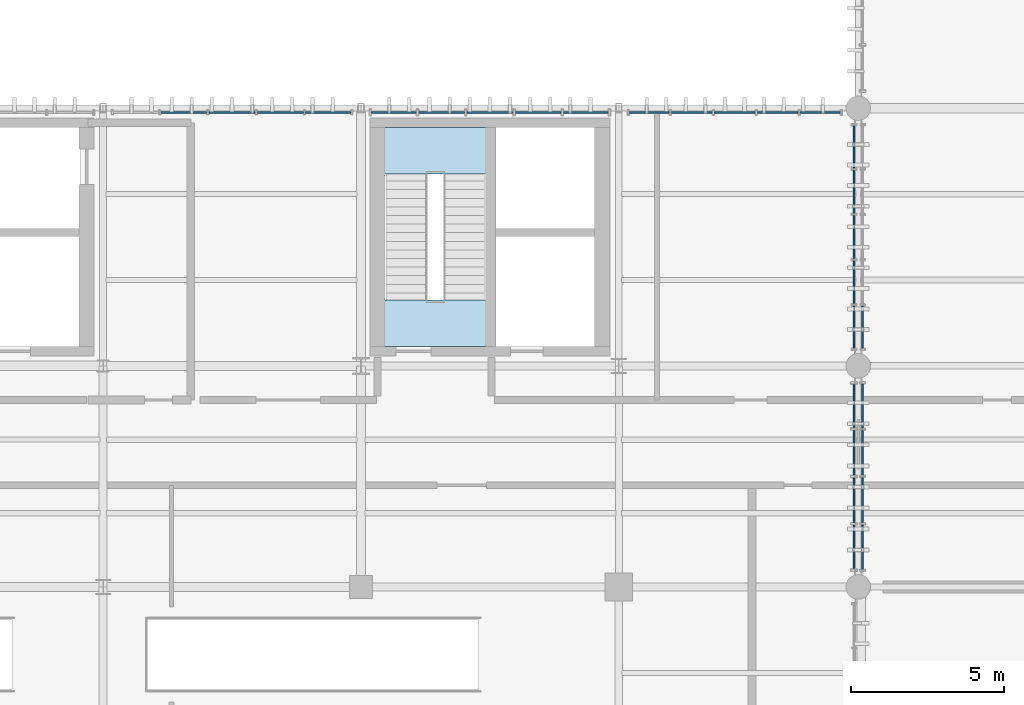
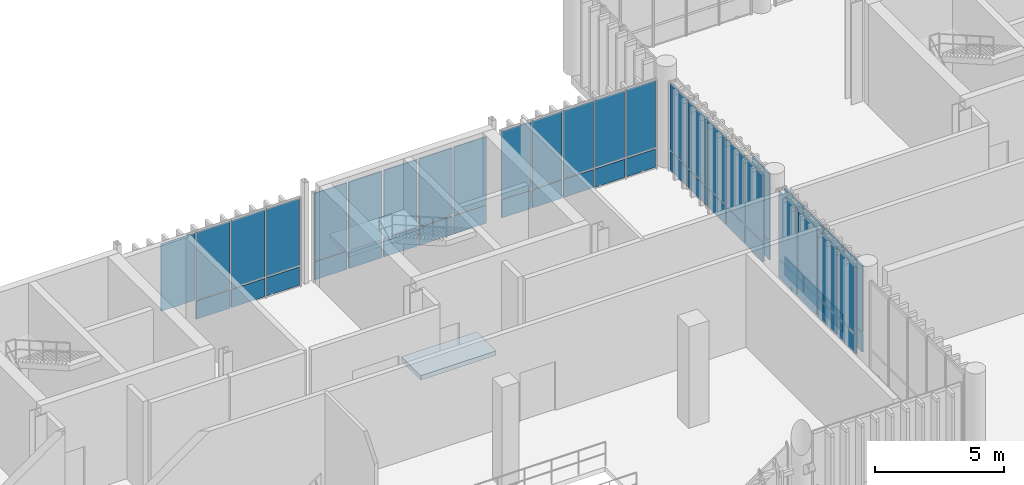
# One storey, part 81 of 109: 55 plates, 2 slabs, 8 elements without a shape of their own.
"""IFC4 building model written with IfcOpenShell, lengths in metres."""

import ifcopenshell
import ifcopenshell.guid

model = None  # the IFC model being written
_history = None  # IfcOwnerHistory: only IFC2X3 demands one
_inside = {}  # id of a spatial element -> (the spatial element, [elements in it])
_under = {}  # id of a project, library or spatial element -> (it, [spatial elements below it])
_declared = {}  # id of a project -> (the project, [libraries it declares])
_typed = {}  # id of a type object -> (the type object, [elements of that type])
_made_of = {}  # id of a material, layer set ... -> (it, [elements and type objects made of it])


def new_model(schema):
    """Start an empty IFC model of exactly this schema.

    Asked for "IFC4X3", IfcOpenShell would pick the latest addendum, in which some entities
    have other attributes; the version numbers below select the first issue.
    IFC2X3 requires an IfcOwnerHistory on every rooted entity: one is made here for all.
    """
    global model, _history
    if schema == "IFC4X3":
        model = ifcopenshell.file(schema_version=(4, 3, 0, 0))
    else:
        model = ifcopenshell.file(schema=schema)
    _inside.clear()
    _under.clear()
    _declared.clear()
    _typed.clear()
    _made_of.clear()
    _history = None
    if model.schema == "IFC2X3":
        org = make("IfcOrganization", Name="unknown")
        user = make(
            "IfcPersonAndOrganization",
            ThePerson=make("IfcPerson", FamilyName="unknown"),
            TheOrganization=org,
        )
        app = make(
            "IfcApplication",
            ApplicationDeveloper=org,
            Version="unknown",
            ApplicationFullName="unknown",
            ApplicationIdentifier="unknown",
        )
        _history = make(
            "IfcOwnerHistory",
            OwningUser=user,
            OwningApplication=app,
            ChangeAction="ADDED",
            CreationDate=0,
        )
    return model


def make(cls, **values):
    """One entity of the class cls with the attributes given. An attribute that is None is left unset."""
    return model.create_entity(
        cls, **{name: value for name, value in values.items() if value is not None}
    )


def rooted(cls, **values):
    """An entity with a GlobalId (a new one), such as an element, a storey or a relation."""
    return make(cls, GlobalId=ifcopenshell.guid.new(), OwnerHistory=_history, **values)


def si_unit(unit_type, name, prefix=None):
    """IfcSIUnit, for example si_unit("LENGTHUNIT", "METRE", prefix="MILLI")."""
    return make("IfcSIUnit", UnitType=unit_type, Prefix=prefix, Name=name)


def assignment(units):
    """IfcUnitAssignment: the units of a project."""
    return None if units is None else make("IfcUnitAssignment", Units=units)


def point(xyz):
    """IfcCartesianPoint."""
    return None if xyz is None else make("IfcCartesianPoint", Coordinates=xyz)


def direction(xyz):
    """IfcDirection."""
    return None if xyz is None else make("IfcDirection", DirectionRatios=xyz)


def frame(location, z_axis=None, x_axis=None):
    """IfcAxis2Placement3D, a coordinate frame: its origin and axes. An axis left out is left unset."""
    return make(
        "IfcAxis2Placement3D",
        Location=point(location),
        Axis=direction(z_axis),
        RefDirection=direction(x_axis),
    )


def frame_2d(location, x_axis=None):
    """IfcAxis2Placement2D, a coordinate frame in the plane: its origin and x axis."""
    return make(
        "IfcAxis2Placement2D", Location=point(location), RefDirection=direction(x_axis)
    )


def origin_with_axes():
    """The frame at (0, 0, 0) with the z axis (0, 0, 1) and the x axis (1, 0, 0) written out."""
    return frame((0.0, 0.0, 0.0), z_axis=(0.0, 0.0, 1.0), x_axis=(1.0, 0.0, 0.0))


def place(relative_to, where):
    """IfcLocalPlacement: puts the frame where relative to a parent placement (None: the world)."""
    return make(
        "IfcLocalPlacement", PlacementRelTo=relative_to, RelativePlacement=where
    )


def context(
    kind, dimensions, precision=None, world=None, true_north=None, identifier=None
):
    """IfcGeometricRepresentationContext, for example the 3D "Model" context."""
    return make(
        "IfcGeometricRepresentationContext",
        ContextIdentifier=identifier,
        ContextType=kind,
        CoordinateSpaceDimension=dimensions,
        Precision=precision,
        WorldCoordinateSystem=world,
        TrueNorth=true_north,
    )


def subcontext(parent, identifier, kind, view, scale=None):
    """IfcGeometricRepresentationSubContext, for example "Body" below "Model"."""
    return make(
        "IfcGeometricRepresentationSubContext",
        ContextIdentifier=identifier,
        ContextType=kind,
        ParentContext=parent,
        TargetScale=scale,
        TargetView=view,
    )


def project(units=None, contexts=None):
    """IfcProject with its units and contexts."""
    return rooted(
        "IfcProject",
        Name="project",
        RepresentationContexts=contexts,
        UnitsInContext=assignment(units),
    )


def spatial(cls, under=None, at=None, **own):
    """A site, building, storey or space (cls), placed at a placement, below another one or the project."""
    s = rooted(cls, ObjectPlacement=at, **own)
    if under is not None:
        _under.setdefault(under.id(), (under, []))[1].append(s)
    return s


def polyline(points):
    """IfcPolyline through the points."""
    return make("IfcPolyline", Points=[point(p) for p in points])


def profile(cls, at=None, kind="AREA", **sizes):
    """A parametric profile (cls). Its sizes go by their IFC names, for example OverallWidth=200.0."""
    return make(cls, ProfileType=kind, Position=at, **sizes)


def rectangle(**sizes):
    """IfcRectangleProfileDef."""
    return profile("IfcRectangleProfileDef", **sizes)


def outline(outer, holes=None, kind="AREA"):
    """IfcArbitraryClosedProfileDef: a profile drawn as a closed curve; with holes, ...WithVoids."""
    if holes is None:
        return make("IfcArbitraryClosedProfileDef", ProfileType=kind, OuterCurve=outer)
    return make(
        "IfcArbitraryProfileDefWithVoids",
        ProfileType=kind,
        OuterCurve=outer,
        InnerCurves=holes,
    )


def extrude(swept, where, along, depth):
    """IfcExtrudedAreaSolid: the profile swept, set in the frame where, extruded along a direction by depth."""
    return make(
        "IfcExtrudedAreaSolid",
        SweptArea=swept,
        Position=where,
        ExtrudedDirection=direction(along),
        Depth=depth,
    )


def shape(context_of_items, identifier, shape_type, items):
    """IfcShapeRepresentation: the items that make up one representation, for example the "Body"."""
    return make(
        "IfcShapeRepresentation",
        ContextOfItems=context_of_items,
        RepresentationIdentifier=identifier,
        RepresentationType=shape_type,
        Items=items,
    )


def material(Name=None, Category=None):
    """IfcMaterial."""
    return make("IfcMaterial", Name=Name, Category=Category)


def layer(
    of_material, thickness, ventilated=None, Name=None, Category=None, Priority=None
):
    """IfcMaterialLayer: one layer of a wall or slab, of a material (None: an air gap)."""
    return make(
        "IfcMaterialLayer",
        Material=of_material,
        LayerThickness=thickness,
        IsVentilated=ventilated,
        Name=Name,
        Category=Category,
        Priority=Priority,
    )


def layer_set(layers, Name=None):
    """IfcMaterialLayerSet."""
    return make("IfcMaterialLayerSet", MaterialLayers=layers, LayerSetName=Name)


def made_of(thing, what):
    """Note that an element or type object is made of a material, layer set ...; save() writes the relation."""
    if what is not None:
        _made_of.setdefault(what.id(), (what, []))[1].append(thing)
    return thing


def type_object(cls, material=None, **own):
    """A type object (cls), such as IfcWallType, which elements share."""
    return made_of(rooted(cls, **own), material)


def element(
    cls,
    number,
    at=None,
    inside=None,
    cuts=None,
    type_object=None,
    material=None,
    context=None,
    identifier="Body",
    shape_type=None,
    held_by="IfcProductDefinitionShape",
    body=None,
    shapes=None,
    **own,
):
    """One element of the class cls, such as IfcWall. Its Tag is "e" and its number.

    at: its placement. inside: the storey or other place that contains it. cuts: it is an
    opening in that element (IfcRelVoidsElement). A single representation is given by context,
    identifier, shape_type and body (its items); several are given by shapes. held_by: the class
    of the entity that holds the representations. save() writes the other relations.
    """
    e = rooted(cls, Tag="e%d" % number, ObjectPlacement=at, **own)
    if body is not None:
        shapes = [shape(context, identifier, shape_type, body)]
    if shapes is not None:
        e.Representation = make(held_by, Representations=shapes)
    if inside is not None:
        _inside.setdefault(inside.id(), (inside, []))[1].append(e)
    if cuts is not None:
        rooted(
            "IfcRelVoidsElement", RelatingBuildingElement=cuts, RelatedOpeningElement=e
        )
    if type_object is not None:
        _typed.setdefault(type_object.id(), (type_object, []))[1].append(e)
    return made_of(e, material)


def aggregate(whole, parts):
    """IfcRelAggregates: a whole, such as a stair, and the parts it consists of."""
    return rooted("IfcRelAggregates", RelatingObject=whole, RelatedObjects=parts)


def save(model, path):
    """Write the relations noted so far, then the file.

    IfcRelAggregates (storeys below a building ...), IfcRelContainedInSpatialStructure (elements
    in a storey), IfcRelDefinesByType, IfcRelAssociatesMaterial and IfcRelDeclares: one each for
    every whole, place, type object, material and project.
    """
    for whole, parts in _under.values():
        aggregate(whole, parts)
    for where, things in _inside.values():
        rooted(
            "IfcRelContainedInSpatialStructure",
            RelatedElements=things,
            RelatingStructure=where,
        )
    for kind, things in _typed.values():
        rooted("IfcRelDefinesByType", RelatedObjects=things, RelatingType=kind)
    for what, things in _made_of.values():
        rooted("IfcRelAssociatesMaterial", RelatedObjects=things, RelatingMaterial=what)
    for by, libraries in _declared.values():
        rooted("IfcRelDeclares", RelatingContext=by, RelatedDefinitions=libraries)
    model.write(path)


model = new_model("IFC4")

# Units and contexts
model_context = context("Model", 3, precision=1e-05, world=origin_with_axes(), true_north=direction((0.0, 1.0)))
body_context = subcontext(model_context, "Body", "Model", "MODEL_VIEW")
ifc_project = project(units=[si_unit("LENGTHUNIT", "METRE"), si_unit("AREAUNIT", "SQUARE_METRE"), si_unit("VOLUMEUNIT", "CUBIC_METRE"), si_unit("PLANEANGLEUNIT", "RADIAN"), si_unit("MASSUNIT", "GRAM", prefix="KILO"), si_unit("THERMODYNAMICTEMPERATUREUNIT", "KELVIN")], contexts=[model_context])

# Site, building, storey
site_placement = place(None, origin_with_axes())
site = spatial("IfcSite", under=ifc_project, at=site_placement, CompositionType="ELEMENT")
building_placement = place(site_placement, origin_with_axes())
building = spatial("IfcBuilding", under=site, at=building_placement, Name="Montbau Bow Law Courts", CompositionType="ELEMENT")
storey_placement = place(building_placement, frame((0.0, 0.0, 10.8), z_axis=(0.0, 0.0, 1.0), x_axis=(1.0, 0.0, 0.0)))
storey = spatial("IfcBuildingStorey", under=building, at=storey_placement, Name="L02", CompositionType="ELEMENT", Elevation=10.8)

# Curtain wall, plates
ifc_material_1 = material(Name="Thermally Broken Extruded Aluminium AA 6063-T6", Category="aluminium")
curtain_wall_type_1 = type_object("IfcCurtainWallType", Name="CW-TRC-01", PredefinedType="NOTDEFINED", material=ifc_material_1)
curtain_wall_1_placement = place(None, frame((22.467, 54.46, 10.8), z_axis=(0.0, 0.0, 1.0), x_axis=(1.0, 0.0, 0.0)))
curtain_wall_1 = element("IfcCurtainWall", 1, at=curtain_wall_1_placement, inside=storey, type_object=curtain_wall_type_1, Name="CW-L02-041:cw_0041", PredefinedType="NOTDEFINED")
ifc_material_2 = material(Name="Triple-Glazed Low-E Argon Insulating Glass Unit", Category="glass")
ifc_layer_1 = layer(ifc_material_2, 0.044, Name="Curtain Panel", Category="glass")
ifc_layer_set_1 = layer_set([ifc_layer_1], Name="Triple-Glazed Low-E Argon Insulating Glass Unit")
plate_type_1 = type_object("IfcPlateType", Name="PL-CWP-01", PredefinedType="CURTAIN_PANEL", material=ifc_layer_set_1)
plate_1_placement = place(None, frame((24.072, 54.46, 11.78), z_axis=(0.0, -1.0, 0.0), x_axis=(1.0, 0.0, 0.0)))
plate_1 = element("IfcPlate", 2, at=plate_1_placement, type_object=plate_type_1, Name="CW-L02-041-P02-2:cw_0041_P02_2", PredefinedType="CURTAIN_PANEL", context=body_context, shape_type="SweptSolid", body=[
    extrude(rectangle(XDim=1.509, YDim=3.183, at=frame_2d((0.7545, 1.5915), x_axis=(1.0, 0.0))), frame((0.0, 0.0, -0.022), z_axis=(0.0, 0.0, 1.0), x_axis=(1.0, 0.0, 0.0)), (0.0, 0.0, 1.0), 0.044),
])
plate_2_placement = place(None, frame((25.645, 54.46, 11.78), z_axis=(0.0, -1.0, 0.0), x_axis=(1.0, 0.0, 0.0)))
plate_2 = element("IfcPlate", 3, at=plate_2_placement, type_object=plate_type_1, Name="CW-L02-041-P03-2:cw_0041_P03_2", PredefinedType="CURTAIN_PANEL", context=body_context, shape_type="SweptSolid", body=[
    extrude(rectangle(XDim=1.51, YDim=3.183, at=frame_2d((0.755, 1.5915), x_axis=(1.0, 0.0))), frame((0.0, 0.0, -0.022), z_axis=(0.0, 0.0, 1.0), x_axis=(1.0, 0.0, 0.0)), (0.0, 0.0, 1.0), 0.044),
])
plate_3_placement = place(None, frame((27.219, 54.46, 11.78), z_axis=(0.0, -1.0, 0.0), x_axis=(1.0, 0.0, 0.0)))
plate_3 = element("IfcPlate", 4, at=plate_3_placement, type_object=plate_type_1, Name="CW-L02-041-P04-2:cw_0041_P04_2", PredefinedType="CURTAIN_PANEL", context=body_context, shape_type="SweptSolid", body=[
    extrude(rectangle(XDim=1.509, YDim=3.183, at=frame_2d((0.7545, 1.5915), x_axis=(1.0, 0.0))), frame((0.0, 0.0, -0.022), z_axis=(0.0, 0.0, 1.0), x_axis=(1.0, 0.0, 0.0)), (0.0, 0.0, 1.0), 0.044),
])
plate_4_placement = place(None, frame((28.792, 54.46, 11.78), z_axis=(0.0, -1.0, 0.0), x_axis=(1.0, 0.0, 0.0)))
plate_4 = element("IfcPlate", 5, at=plate_4_placement, type_object=plate_type_1, Name="CW-L02-041-P05-2:cw_0041_P05_2", PredefinedType="CURTAIN_PANEL", context=body_context, shape_type="SweptSolid", body=[
    extrude(rectangle(XDim=1.479, YDim=3.183, at=frame_2d((0.7395, 1.5915), x_axis=(1.0, 0.0))), frame((0.0, 0.0, -0.022), z_axis=(0.0, 0.0, 1.0), x_axis=(1.0, 0.0, 0.0)), (0.0, 0.0, 1.0), 0.044),
])

curtain_wall_2_placement = place(None, frame((30.867, 54.46, 10.8), z_axis=(0.0, 0.0, 1.0), x_axis=(1.0, 0.0, 0.0)))
curtain_wall_2 = element("IfcCurtainWall", 6, at=curtain_wall_2_placement, inside=storey, type_object=curtain_wall_type_1, Name="CW-L02-042:cw_0042", PredefinedType="NOTDEFINED")
plate_5_placement = place(None, frame((30.943, 54.46, 11.782), z_axis=(0.0, -1.0, 0.0), x_axis=(1.0, 0.0, 0.0)))
plate_5 = element("IfcPlate", 7, at=plate_5_placement, type_object=plate_type_1, Name="CW-L02-042-P01-2:cw_0042_P01_2", PredefinedType="CURTAIN_PANEL", context=body_context, shape_type="SweptSolid", body=[
    extrude(rectangle(XDim=1.457, YDim=3.176, at=frame_2d((0.7285, 1.588), x_axis=(1.0, 0.0))), frame((0.0, 0.0, -0.022), z_axis=(0.0, 0.0, 1.0), x_axis=(1.0, 0.0, 0.0)), (0.0, 0.0, 1.0), 0.044),
])
plate_6_placement = place(None, frame((32.48, 54.46, 11.782), z_axis=(0.0, -1.0, 0.0), x_axis=(1.0, 0.0, 0.0)))
plate_6 = element("IfcPlate", 8, at=plate_6_placement, type_object=plate_type_1, Name="CW-L02-042-P02-2:cw_0042_P02_2", PredefinedType="CURTAIN_PANEL", context=body_context, shape_type="SweptSolid", body=[
    extrude(rectangle(XDim=1.494, YDim=3.176, at=frame_2d((0.747, 1.588), x_axis=(1.0, 0.0))), frame((0.0, 0.0, -0.022), z_axis=(0.0, 0.0, 1.0), x_axis=(1.0, 0.0, 0.0)), (0.0, 0.0, 1.0), 0.044),
])
plate_7_placement = place(None, frame((34.052, 54.46, 11.782), z_axis=(0.0, -1.0, 0.0), x_axis=(1.0, 0.0, 0.0)))
plate_7 = element("IfcPlate", 9, at=plate_7_placement, type_object=plate_type_1, Name="CW-L02-042-P03-2:cw_0042_P03_2", PredefinedType="CURTAIN_PANEL", context=body_context, shape_type="SweptSolid", body=[
    extrude(rectangle(XDim=1.495, YDim=3.176, at=frame_2d((0.7475, 1.588), x_axis=(1.0, 0.0))), frame((0.0, 0.0, -0.022), z_axis=(0.0, 0.0, 1.0), x_axis=(1.0, 0.0, 0.0)), (0.0, 0.0, 1.0), 0.044),
])
plate_8_placement = place(None, frame((35.625, 54.46, 11.782), z_axis=(0.0, -1.0, 0.0), x_axis=(1.0, 0.0, 0.0)))
plate_8 = element("IfcPlate", 10, at=plate_8_placement, type_object=plate_type_1, Name="CW-L02-042-P04-2:cw_0042_P04_2", PredefinedType="CURTAIN_PANEL", context=body_context, shape_type="SweptSolid", body=[
    extrude(rectangle(XDim=1.495, YDim=3.176, at=frame_2d((0.7475, 1.588), x_axis=(1.0, 0.0))), frame((0.0, 0.0, -0.022), z_axis=(0.0, 0.0, 1.0), x_axis=(1.0, 0.0, 0.0)), (0.0, 0.0, 1.0), 0.044),
])
plate_9_placement = place(None, frame((37.198, 54.46, 11.782), z_axis=(0.0, -1.0, 0.0), x_axis=(1.0, 0.0, 0.0)))
plate_9 = element("IfcPlate", 11, at=plate_9_placement, type_object=plate_type_1, Name="CW-L02-042-P05-2:cw_0042_P05_2", PredefinedType="CURTAIN_PANEL", context=body_context, shape_type="SweptSolid", body=[
    extrude(rectangle(XDim=1.457, YDim=3.176, at=frame_2d((0.7285, 1.588), x_axis=(1.0, 0.0))), frame((0.0, 0.0, -0.022), z_axis=(0.0, 0.0, 1.0), x_axis=(1.0, 0.0, 0.0)), (0.0, 0.0, 1.0), 0.044),
])

curtain_wall_3_placement = place(None, frame((39.268, 54.46, 10.8), z_axis=(0.0, 0.0, 1.0), x_axis=(1.0, 0.0, 0.0)))
curtain_wall_3 = element("IfcCurtainWall", 12, at=curtain_wall_3_placement, inside=storey, type_object=curtain_wall_type_1, Name="CW-L02-043:cw_0043", PredefinedType="NOTDEFINED")
plate_10_placement = place(None, frame((39.336, 54.46, 11.78), z_axis=(0.0, -1.0, 0.0), x_axis=(1.0, 0.0, 0.0)))
plate_10 = element("IfcPlate", 13, at=plate_10_placement, type_object=plate_type_1, Name="CW-L02-043-P01-2:cw_0043_P01_2", PredefinedType="CURTAIN_PANEL", context=body_context, shape_type="SweptSolid", body=[
    extrude(rectangle(XDim=1.301, YDim=3.183, at=frame_2d((0.6505, 1.5915), x_axis=(1.0, 0.0))), frame((0.0, 0.0, -0.022), z_axis=(0.0, 0.0, 1.0), x_axis=(1.0, 0.0, 0.0)), (0.0, 0.0, 1.0), 0.044),
])
plate_11_placement = place(None, frame((40.706, 54.46, 11.78), z_axis=(0.0, -1.0, 0.0), x_axis=(1.0, 0.0, 0.0)))
plate_11 = element("IfcPlate", 14, at=plate_11_placement, type_object=plate_type_1, Name="CW-L02-043-P02-2:cw_0043_P02_2", PredefinedType="CURTAIN_PANEL", context=body_context, shape_type="SweptSolid", body=[
    extrude(rectangle(XDim=1.334, YDim=3.183, at=frame_2d((0.667, 1.5915), x_axis=(1.0, 0.0))), frame((0.0, 0.0, -0.022), z_axis=(0.0, 0.0, 1.0), x_axis=(1.0, 0.0, 0.0)), (0.0, 0.0, 1.0), 0.044),
])
plate_12_placement = place(None, frame((42.109, 54.46, 11.78), z_axis=(0.0, -1.0, 0.0), x_axis=(1.0, 0.0, 0.0)))
plate_12 = element("IfcPlate", 15, at=plate_12_placement, type_object=plate_type_1, Name="CW-L02-043-P03-2:cw_0043_P03_2", PredefinedType="CURTAIN_PANEL", context=body_context, shape_type="SweptSolid", body=[
    extrude(rectangle(XDim=1.335, YDim=3.183, at=frame_2d((0.6675, 1.5915), x_axis=(1.0, 0.0))), frame((0.0, 0.0, -0.022), z_axis=(0.0, 0.0, 1.0), x_axis=(1.0, 0.0, 0.0)), (0.0, 0.0, 1.0), 0.044),
])
plate_13_placement = place(None, frame((43.512, 54.46, 11.78), z_axis=(0.0, -1.0, 0.0), x_axis=(1.0, 0.0, 0.0)))
plate_13 = element("IfcPlate", 16, at=plate_13_placement, type_object=plate_type_1, Name="CW-L02-043-P04-2:cw_0043_P04_2", PredefinedType="CURTAIN_PANEL", context=body_context, shape_type="SweptSolid", body=[
    extrude(rectangle(XDim=1.336, YDim=3.183, at=frame_2d((0.668, 1.5915), x_axis=(1.0, 0.0))), frame((0.0, 0.0, -0.022), z_axis=(0.0, 0.0, 1.0), x_axis=(1.0, 0.0, 0.0)), (0.0, 0.0, 1.0), 0.044),
])
plate_14_placement = place(None, frame((44.916, 54.46, 11.78), z_axis=(0.0, -1.0, 0.0), x_axis=(1.0, 0.0, 0.0)))
plate_14 = element("IfcPlate", 17, at=plate_14_placement, type_object=plate_type_1, Name="CW-L02-043-P05-2:cw_0043_P05_2", PredefinedType="CURTAIN_PANEL", context=body_context, shape_type="SweptSolid", body=[
    extrude(rectangle(XDim=1.302, YDim=3.183, at=frame_2d((0.651, 1.5915), x_axis=(1.0, 0.0))), frame((0.0, 0.0, -0.022), z_axis=(0.0, 0.0, 1.0), x_axis=(1.0, 0.0, 0.0)), (0.0, 0.0, 1.0), 0.044),
])

curtain_wall_4_placement = place(None, frame((46.66, 39.515, 10.8), z_axis=(0.0, 0.0, 1.0), x_axis=(1.0, 0.0, 0.0)))
curtain_wall_4 = element("IfcCurtainWall", 18, at=curtain_wall_4_placement, inside=storey, type_object=curtain_wall_type_1, Name="CW-L02-048:cw_0048", PredefinedType="NOTDEFINED")
plate_15_placement = place(None, frame((46.66, 39.591, 11.782), z_axis=(1.0, 0.0, 0.0), x_axis=(0.0, 1.0, 0.0)))
plate_15 = element("IfcPlate", 19, at=plate_15_placement, type_object=plate_type_1, Name="CW-L02-048-P01-2:cw_0048_P01_2", PredefinedType="CURTAIN_PANEL", context=body_context, shape_type="SweptSolid", body=[
    extrude(rectangle(XDim=1.427, YDim=3.176, at=frame_2d((0.7135, 1.588), x_axis=(1.0, 0.0))), frame((0.0, 0.0, -0.022), z_axis=(0.0, 0.0, 1.0), x_axis=(1.0, 0.0, 0.0)), (0.0, 0.0, 1.0), 0.044),
])
plate_16_placement = place(None, frame((46.66, 41.098, 11.782), z_axis=(1.0, 0.0, 0.0), x_axis=(0.0, 1.0, 0.0)))
plate_16 = element("IfcPlate", 20, at=plate_16_placement, type_object=plate_type_1, Name="CW-L02-048-P02-2:cw_0048_P02_2", PredefinedType="CURTAIN_PANEL", context=body_context, shape_type="SweptSolid", body=[
    extrude(rectangle(XDim=1.463, YDim=3.176, at=frame_2d((0.7315, 1.588), x_axis=(1.0, 0.0))), frame((0.0, 0.0, -0.022), z_axis=(0.0, 0.0, 1.0), x_axis=(1.0, 0.0, 0.0)), (0.0, 0.0, 1.0), 0.044),
])
plate_17_placement = place(None, frame((46.66, 42.639, 11.782), z_axis=(1.0, 0.0, 0.0), x_axis=(0.0, 1.0, 0.0)))
plate_17 = element("IfcPlate", 21, at=plate_17_placement, type_object=plate_type_1, Name="CW-L02-048-P03-2:cw_0048_P03_2", PredefinedType="CURTAIN_PANEL", context=body_context, shape_type="SweptSolid", body=[
    extrude(rectangle(XDim=1.465, YDim=3.176, at=frame_2d((0.7325, 1.588), x_axis=(1.0, 0.0))), frame((0.0, 0.0, -0.022), z_axis=(0.0, 0.0, 1.0), x_axis=(1.0, 0.0, 0.0)), (0.0, 0.0, 1.0), 0.044),
])
plate_18_placement = place(None, frame((46.66, 44.182, 11.782), z_axis=(1.0, 0.0, 0.0), x_axis=(0.0, 1.0, 0.0)))
plate_18 = element("IfcPlate", 22, at=plate_18_placement, type_object=plate_type_1, Name="CW-L02-048-P04-2:cw_0048_P04_2", PredefinedType="CURTAIN_PANEL", context=body_context, shape_type="SweptSolid", body=[
    extrude(rectangle(XDim=1.427, YDim=3.176, at=frame_2d((0.7135, 1.588), x_axis=(1.0, 0.0))), frame((0.0, 0.0, -0.022), z_axis=(0.0, 0.0, 1.0), x_axis=(1.0, 0.0, 0.0)), (0.0, 0.0, 1.0), 0.044),
])

curtain_wall_5_placement = place(None, frame((46.66, 46.715, 10.8), z_axis=(0.0, 0.0, 1.0), x_axis=(1.0, 0.0, 0.0)))
curtain_wall_5 = element("IfcCurtainWall", 23, at=curtain_wall_5_placement, inside=storey, type_object=curtain_wall_type_1, Name="CW-L02-049:cw_0049", PredefinedType="NOTDEFINED")
plate_19_placement = place(None, frame((46.66, 46.783, 11.78), z_axis=(1.0, 0.0, 0.0), x_axis=(0.0, 1.0, 0.0)))
plate_19 = element("IfcPlate", 24, at=plate_19_placement, type_object=plate_type_1, Name="CW-L02-049-P01-2:cw_0049_P01_2", PredefinedType="CURTAIN_PANEL", context=body_context, shape_type="SweptSolid", body=[
    extrude(rectangle(XDim=1.372, YDim=3.183, at=frame_2d((0.686, 1.5915), x_axis=(1.0, 0.0))), frame((0.0, 0.0, -0.022), z_axis=(0.0, 0.0, 1.0), x_axis=(1.0, 0.0, 0.0)), (0.0, 0.0, 1.0), 0.044),
])
plate_20_placement = place(None, frame((46.66, 48.223, 11.78), z_axis=(1.0, 0.0, 0.0), x_axis=(0.0, 1.0, 0.0)))
plate_20 = element("IfcPlate", 25, at=plate_20_placement, type_object=plate_type_1, Name="CW-L02-049-P02-2:cw_0049_P02_2", PredefinedType="CURTAIN_PANEL", context=body_context, shape_type="SweptSolid", body=[
    extrude(rectangle(XDim=1.405, YDim=3.183, at=frame_2d((0.7025, 1.5915), x_axis=(1.0, 0.0))), frame((0.0, 0.0, -0.022), z_axis=(0.0, 0.0, 1.0), x_axis=(1.0, 0.0, 0.0)), (0.0, 0.0, 1.0), 0.044),
])
plate_21_placement = place(None, frame((46.66, 49.697, 11.78), z_axis=(1.0, 0.0, 0.0), x_axis=(0.0, 1.0, 0.0)))
plate_21 = element("IfcPlate", 26, at=plate_21_placement, type_object=plate_type_1, Name="CW-L02-049-P03-2:cw_0049_P03_2", PredefinedType="CURTAIN_PANEL", context=body_context, shape_type="SweptSolid", body=[
    extrude(rectangle(XDim=1.406, YDim=3.183, at=frame_2d((0.703, 1.5915), x_axis=(1.0, 0.0))), frame((0.0, 0.0, -0.022), z_axis=(0.0, 0.0, 1.0), x_axis=(1.0, 0.0, 0.0)), (0.0, 0.0, 1.0), 0.044),
])
plate_22_placement = place(None, frame((46.66, 51.171, 11.78), z_axis=(1.0, 0.0, 0.0), x_axis=(0.0, 1.0, 0.0)))
plate_22 = element("IfcPlate", 27, at=plate_22_placement, type_object=plate_type_1, Name="CW-L02-049-P04-2:cw_0049_P04_2", PredefinedType="CURTAIN_PANEL", context=body_context, shape_type="SweptSolid", body=[
    extrude(rectangle(XDim=1.406, YDim=3.183, at=frame_2d((0.703, 1.5915), x_axis=(1.0, 0.0))), frame((0.0, 0.0, -0.022), z_axis=(0.0, 0.0, 1.0), x_axis=(1.0, 0.0, 0.0)), (0.0, 0.0, 1.0), 0.044),
])
plate_23_placement = place(None, frame((46.66, 52.645, 11.78), z_axis=(1.0, 0.0, 0.0), x_axis=(0.0, 1.0, 0.0)))
plate_23 = element("IfcPlate", 28, at=plate_23_placement, type_object=plate_type_1, Name="CW-L02-049-P05-2:cw_0049_P05_2", PredefinedType="CURTAIN_PANEL", context=body_context, shape_type="SweptSolid", body=[
    extrude(rectangle(XDim=1.373, YDim=3.183, at=frame_2d((0.6865, 1.5915), x_axis=(1.0, 0.0))), frame((0.0, 0.0, -0.022), z_axis=(0.0, 0.0, 1.0), x_axis=(1.0, 0.0, 0.0)), (0.0, 0.0, 1.0), 0.044),
])

curtain_wall_type_2 = type_object("IfcCurtainWallType", Name="CW-CRM-01", PredefinedType="NOTDEFINED", material=ifc_material_1)
curtain_wall_6_placement = place(None, frame((46.94, 39.515, 10.8), z_axis=(0.0, 0.0, 1.0), x_axis=(1.0, 0.0, 0.0)))
curtain_wall_6 = element("IfcCurtainWall", 29, at=curtain_wall_6_placement, inside=storey, type_object=curtain_wall_type_2, Name="CW-L02-169:cw_0169", PredefinedType="NOTDEFINED")
plate_24_placement = place(None, frame((46.94, 39.583, 11.78), z_axis=(1.0, 0.0, 0.0), x_axis=(0.0, 1.0, 0.0)))
plate_24 = element("IfcPlate", 30, at=plate_24_placement, type_object=plate_type_1, Name="CW-L02-169-P01-2:cw_0169_P01_2", PredefinedType="CURTAIN_PANEL", context=body_context, shape_type="SweptSolid", body=[
    extrude(rectangle(XDim=1.44, YDim=3.183, at=frame_2d((0.72, 1.5915), x_axis=(1.0, 0.0))), frame((0.0, 0.0, -0.022), z_axis=(0.0, 0.0, 1.0), x_axis=(1.0, 0.0, 0.0)), (0.0, 0.0, 1.0), 0.044),
])
plate_25_placement = place(None, frame((46.94, 41.092, 11.78), z_axis=(1.0, 0.0, 0.0), x_axis=(0.0, 1.0, 0.0)))
plate_25 = element("IfcPlate", 31, at=plate_25_placement, type_object=plate_type_1, Name="CW-L02-169-P02-2:cw_0169_P02_2", PredefinedType="CURTAIN_PANEL", context=body_context, shape_type="SweptSolid", body=[
    extrude(rectangle(XDim=1.473, YDim=3.183, at=frame_2d((0.7365, 1.5915), x_axis=(1.0, 0.0))), frame((0.0, 0.0, -0.022), z_axis=(0.0, 0.0, 1.0), x_axis=(1.0, 0.0, 0.0)), (0.0, 0.0, 1.0), 0.044),
])
plate_26_placement = place(None, frame((46.94, 42.634, 11.78), z_axis=(1.0, 0.0, 0.0), x_axis=(0.0, 1.0, 0.0)))
plate_26 = element("IfcPlate", 32, at=plate_26_placement, type_object=plate_type_1, Name="CW-L02-169-P03-2:cw_0169_P03_2", PredefinedType="CURTAIN_PANEL", context=body_context, shape_type="SweptSolid", body=[
    extrude(rectangle(XDim=1.475, YDim=3.183, at=frame_2d((0.7375, 1.5915), x_axis=(1.0, 0.0))), frame((0.0, 0.0, -0.022), z_axis=(0.0, 0.0, 1.0), x_axis=(1.0, 0.0, 0.0)), (0.0, 0.0, 1.0), 0.044),
])
plate_27_placement = place(None, frame((46.94, 44.177, 11.78), z_axis=(1.0, 0.0, 0.0), x_axis=(0.0, 1.0, 0.0)))
plate_27 = element("IfcPlate", 33, at=plate_27_placement, type_object=plate_type_1, Name="CW-L02-169-P04-2:cw_0169_P04_2", PredefinedType="CURTAIN_PANEL", context=body_context, shape_type="SweptSolid", body=[
    extrude(rectangle(XDim=1.442, YDim=3.183, at=frame_2d((0.721, 1.5915), x_axis=(1.0, 0.0))), frame((0.0, 0.0, -0.022), z_axis=(0.0, 0.0, 1.0), x_axis=(1.0, 0.0, 0.0)), (0.0, 0.0, 1.0), 0.044),
])

# Curtain wall, plate
curtain_wall_7_placement = place(None, frame((46.94, 46.715, 10.8), z_axis=(0.0, 0.0, 1.0), x_axis=(1.0, 0.0, 0.0)))
curtain_wall_7 = element("IfcCurtainWall", 34, at=curtain_wall_7_placement, inside=storey, type_object=curtain_wall_type_2, Name="CW-L02-170:cw_0170", PredefinedType="NOTDEFINED")
plate_28_placement = place(None, frame((46.94, 46.777, 11.782), z_axis=(1.0, 0.0, 0.0), x_axis=(0.0, 1.0, 0.0)))
plate_28 = element("IfcPlate", 35, at=plate_28_placement, type_object=plate_type_1, Name="CW-L02-170-P01-2:cw_0170_P01_2", PredefinedType="CURTAIN_PANEL", context=body_context, shape_type="SweptSolid", body=[
    extrude(rectangle(XDim=1.38, YDim=3.176, at=frame_2d((0.69, 1.588), x_axis=(1.0, 0.0))), frame((0.0, 0.0, -0.022), z_axis=(0.0, 0.0, 1.0), x_axis=(1.0, 0.0, 0.0)), (0.0, 0.0, 1.0), 0.044),
])

# Plate
ifc_material_3 = material(Name="Insulated Ceramic-Frit Spandrel Glazing Unit", Category="glass")
ifc_layer_2 = layer(ifc_material_3, 0.056, Name="Curtain Panel", Category="glass")
ifc_layer_set_2 = layer_set([ifc_layer_2], Name="Insulated Ceramic-Frit Spandrel Glazing Unit")
plate_type_2 = type_object("IfcPlateType", Name="PL-CWP-02", PredefinedType="CURTAIN_PANEL", material=ifc_layer_set_2)
plate_29_placement = place(None, frame((25.645, 54.46, 10.857), z_axis=(0.0, -1.0, 0.0), x_axis=(1.0, 0.0, 0.0)))
plate_29 = element("IfcPlate", 36, at=plate_29_placement, type_object=plate_type_2, Name="CW-L02-041-P03-1:cw_0041_P03_1", PredefinedType="CURTAIN_PANEL", context=body_context, shape_type="SweptSolid", body=[
    extrude(rectangle(XDim=1.51, YDim=0.863, at=frame_2d((0.755, 0.4315), x_axis=(1.0, 0.0))), frame((0.0, 0.0, -0.028), z_axis=(0.0, 0.0, 1.0), x_axis=(1.0, 0.0, 0.0)), (0.0, 0.0, 1.0), 0.056),
])

plate_30_placement = place(None, frame((27.219, 54.46, 10.857), z_axis=(0.0, -1.0, 0.0), x_axis=(1.0, 0.0, 0.0)))
plate_30 = element("IfcPlate", 37, at=plate_30_placement, type_object=plate_type_2, Name="CW-L02-041-P04-1:cw_0041_P04_1", PredefinedType="CURTAIN_PANEL", context=body_context, shape_type="SweptSolid", body=[
    extrude(rectangle(XDim=1.509, YDim=0.863, at=frame_2d((0.7545, 0.4315), x_axis=(1.0, 0.0))), frame((0.0, 0.0, -0.028), z_axis=(0.0, 0.0, 1.0), x_axis=(1.0, 0.0, 0.0)), (0.0, 0.0, 1.0), 0.056),
])

plate_31_placement = place(None, frame((28.792, 54.46, 10.857), z_axis=(0.0, -1.0, 0.0), x_axis=(1.0, 0.0, 0.0)))
plate_31 = element("IfcPlate", 38, at=plate_31_placement, type_object=plate_type_2, Name="CW-L02-041-P05-1:cw_0041_P05_1", PredefinedType="CURTAIN_PANEL", context=body_context, shape_type="SweptSolid", body=[
    extrude(rectangle(XDim=1.479, YDim=0.863, at=frame_2d((0.7395, 0.4315), x_axis=(1.0, 0.0))), frame((0.0, 0.0, -0.028), z_axis=(0.0, 0.0, 1.0), x_axis=(1.0, 0.0, 0.0)), (0.0, 0.0, 1.0), 0.056),
])

aggregate(curtain_wall_1, [plate_1, plate_29, plate_2, plate_30, plate_3, plate_31, plate_4])

plate_32_placement = place(None, frame((30.943, 54.46, 10.862), z_axis=(0.0, -1.0, 0.0), x_axis=(1.0, 0.0, 0.0)))
plate_32 = element("IfcPlate", 39, at=plate_32_placement, type_object=plate_type_2, Name="CW-L02-042-P01-1:cw_0042_P01_1", PredefinedType="CURTAIN_PANEL", context=body_context, shape_type="SweptSolid", body=[
    extrude(rectangle(XDim=1.457, YDim=0.856, at=frame_2d((0.7285, 0.428), x_axis=(1.0, 0.0))), frame((0.0, 0.0, -0.028), z_axis=(0.0, 0.0, 1.0), x_axis=(1.0, 0.0, 0.0)), (0.0, 0.0, 1.0), 0.056),
])

plate_33_placement = place(None, frame((32.48, 54.46, 10.862), z_axis=(0.0, -1.0, 0.0), x_axis=(1.0, 0.0, 0.0)))
plate_33 = element("IfcPlate", 40, at=plate_33_placement, type_object=plate_type_2, Name="CW-L02-042-P02-1:cw_0042_P02_1", PredefinedType="CURTAIN_PANEL", context=body_context, shape_type="SweptSolid", body=[
    extrude(rectangle(XDim=1.494, YDim=0.856, at=frame_2d((0.747, 0.428), x_axis=(1.0, 0.0))), frame((0.0, 0.0, -0.028), z_axis=(0.0, 0.0, 1.0), x_axis=(1.0, 0.0, 0.0)), (0.0, 0.0, 1.0), 0.056),
])

plate_34_placement = place(None, frame((34.052, 54.46, 10.862), z_axis=(0.0, -1.0, 0.0), x_axis=(1.0, 0.0, 0.0)))
plate_34 = element("IfcPlate", 41, at=plate_34_placement, type_object=plate_type_2, Name="CW-L02-042-P03-1:cw_0042_P03_1", PredefinedType="CURTAIN_PANEL", context=body_context, shape_type="SweptSolid", body=[
    extrude(rectangle(XDim=1.495, YDim=0.856, at=frame_2d((0.7475, 0.428), x_axis=(1.0, 0.0))), frame((0.0, 0.0, -0.028), z_axis=(0.0, 0.0, 1.0), x_axis=(1.0, 0.0, 0.0)), (0.0, 0.0, 1.0), 0.056),
])

plate_35_placement = place(None, frame((35.625, 54.46, 10.862), z_axis=(0.0, -1.0, 0.0), x_axis=(1.0, 0.0, 0.0)))
plate_35 = element("IfcPlate", 42, at=plate_35_placement, type_object=plate_type_2, Name="CW-L02-042-P04-1:cw_0042_P04_1", PredefinedType="CURTAIN_PANEL", context=body_context, shape_type="SweptSolid", body=[
    extrude(rectangle(XDim=1.495, YDim=0.856, at=frame_2d((0.7475, 0.428), x_axis=(1.0, 0.0))), frame((0.0, 0.0, -0.028), z_axis=(0.0, 0.0, 1.0), x_axis=(1.0, 0.0, 0.0)), (0.0, 0.0, 1.0), 0.056),
])

plate_36_placement = place(None, frame((37.198, 54.46, 10.862), z_axis=(0.0, -1.0, 0.0), x_axis=(1.0, 0.0, 0.0)))
plate_36 = element("IfcPlate", 43, at=plate_36_placement, type_object=plate_type_2, Name="CW-L02-042-P05-1:cw_0042_P05_1", PredefinedType="CURTAIN_PANEL", context=body_context, shape_type="SweptSolid", body=[
    extrude(rectangle(XDim=1.457, YDim=0.856, at=frame_2d((0.7285, 0.428), x_axis=(1.0, 0.0))), frame((0.0, 0.0, -0.028), z_axis=(0.0, 0.0, 1.0), x_axis=(1.0, 0.0, 0.0)), (0.0, 0.0, 1.0), 0.056),
])

aggregate(curtain_wall_2, [plate_32, plate_5, plate_33, plate_6, plate_34, plate_7, plate_35, plate_8, plate_36, plate_9])

plate_37_placement = place(None, frame((39.336, 54.46, 10.857), z_axis=(0.0, -1.0, 0.0), x_axis=(1.0, 0.0, 0.0)))
plate_37 = element("IfcPlate", 44, at=plate_37_placement, type_object=plate_type_2, Name="CW-L02-043-P01-1:cw_0043_P01_1", PredefinedType="CURTAIN_PANEL", context=body_context, shape_type="SweptSolid", body=[
    extrude(rectangle(XDim=1.301, YDim=0.863, at=frame_2d((0.6505, 0.4315), x_axis=(1.0, 0.0))), frame((0.0, 0.0, -0.028), z_axis=(0.0, 0.0, 1.0), x_axis=(1.0, 0.0, 0.0)), (0.0, 0.0, 1.0), 0.056),
])

plate_38_placement = place(None, frame((40.706, 54.46, 10.857), z_axis=(0.0, -1.0, 0.0), x_axis=(1.0, 0.0, 0.0)))
plate_38 = element("IfcPlate", 45, at=plate_38_placement, type_object=plate_type_2, Name="CW-L02-043-P02-1:cw_0043_P02_1", PredefinedType="CURTAIN_PANEL", context=body_context, shape_type="SweptSolid", body=[
    extrude(rectangle(XDim=1.334, YDim=0.863, at=frame_2d((0.667, 0.4315), x_axis=(1.0, 0.0))), frame((0.0, 0.0, -0.028), z_axis=(0.0, 0.0, 1.0), x_axis=(1.0, 0.0, 0.0)), (0.0, 0.0, 1.0), 0.056),
])

plate_39_placement = place(None, frame((42.109, 54.46, 10.857), z_axis=(0.0, -1.0, 0.0), x_axis=(1.0, 0.0, 0.0)))
plate_39 = element("IfcPlate", 46, at=plate_39_placement, type_object=plate_type_2, Name="CW-L02-043-P03-1:cw_0043_P03_1", PredefinedType="CURTAIN_PANEL", context=body_context, shape_type="SweptSolid", body=[
    extrude(rectangle(XDim=1.335, YDim=0.863, at=frame_2d((0.6675, 0.4315), x_axis=(1.0, 0.0))), frame((0.0, 0.0, -0.028), z_axis=(0.0, 0.0, 1.0), x_axis=(1.0, 0.0, 0.0)), (0.0, 0.0, 1.0), 0.056),
])

plate_40_placement = place(None, frame((43.512, 54.46, 10.857), z_axis=(0.0, -1.0, 0.0), x_axis=(1.0, 0.0, 0.0)))
plate_40 = element("IfcPlate", 47, at=plate_40_placement, type_object=plate_type_2, Name="CW-L02-043-P04-1:cw_0043_P04_1", PredefinedType="CURTAIN_PANEL", context=body_context, shape_type="SweptSolid", body=[
    extrude(rectangle(XDim=1.336, YDim=0.863, at=frame_2d((0.668, 0.4315), x_axis=(1.0, 0.0))), frame((0.0, 0.0, -0.028), z_axis=(0.0, 0.0, 1.0), x_axis=(1.0, 0.0, 0.0)), (0.0, 0.0, 1.0), 0.056),
])

plate_41_placement = place(None, frame((44.916, 54.46, 10.857), z_axis=(0.0, -1.0, 0.0), x_axis=(1.0, 0.0, 0.0)))
plate_41 = element("IfcPlate", 48, at=plate_41_placement, type_object=plate_type_2, Name="CW-L02-043-P05-1:cw_0043_P05_1", PredefinedType="CURTAIN_PANEL", context=body_context, shape_type="SweptSolid", body=[
    extrude(rectangle(XDim=1.302, YDim=0.863, at=frame_2d((0.651, 0.4315), x_axis=(1.0, 0.0))), frame((0.0, 0.0, -0.028), z_axis=(0.0, 0.0, 1.0), x_axis=(1.0, 0.0, 0.0)), (0.0, 0.0, 1.0), 0.056),
])

aggregate(curtain_wall_3, [plate_37, plate_10, plate_38, plate_11, plate_39, plate_12, plate_40, plate_13, plate_41, plate_14])

plate_42_placement = place(None, frame((46.66, 39.591, 10.862), z_axis=(1.0, 0.0, 0.0), x_axis=(0.0, 1.0, 0.0)))
plate_42 = element("IfcPlate", 49, at=plate_42_placement, type_object=plate_type_2, Name="CW-L02-048-P01-1:cw_0048_P01_1", PredefinedType="CURTAIN_PANEL", context=body_context, shape_type="SweptSolid", body=[
    extrude(rectangle(XDim=1.427, YDim=0.856, at=frame_2d((0.7135, 0.428), x_axis=(1.0, 0.0))), frame((0.0, 0.0, -0.028), z_axis=(0.0, 0.0, 1.0), x_axis=(1.0, 0.0, 0.0)), (0.0, 0.0, 1.0), 0.056),
])

plate_43_placement = place(None, frame((46.66, 41.098, 10.862), z_axis=(1.0, 0.0, 0.0), x_axis=(0.0, 1.0, 0.0)))
plate_43 = element("IfcPlate", 50, at=plate_43_placement, type_object=plate_type_2, Name="CW-L02-048-P02-1:cw_0048_P02_1", PredefinedType="CURTAIN_PANEL", context=body_context, shape_type="SweptSolid", body=[
    extrude(rectangle(XDim=1.463, YDim=0.856, at=frame_2d((0.7315, 0.428), x_axis=(1.0, 0.0))), frame((0.0, 0.0, -0.028), z_axis=(0.0, 0.0, 1.0), x_axis=(1.0, 0.0, 0.0)), (0.0, 0.0, 1.0), 0.056),
])

plate_44_placement = place(None, frame((46.66, 42.639, 10.862), z_axis=(1.0, 0.0, 0.0), x_axis=(0.0, 1.0, 0.0)))
plate_44 = element("IfcPlate", 51, at=plate_44_placement, type_object=plate_type_2, Name="CW-L02-048-P03-1:cw_0048_P03_1", PredefinedType="CURTAIN_PANEL", context=body_context, shape_type="SweptSolid", body=[
    extrude(rectangle(XDim=1.465, YDim=0.856, at=frame_2d((0.7325, 0.428), x_axis=(1.0, 0.0))), frame((0.0, 0.0, -0.028), z_axis=(0.0, 0.0, 1.0), x_axis=(1.0, 0.0, 0.0)), (0.0, 0.0, 1.0), 0.056),
])

plate_45_placement = place(None, frame((46.66, 44.182, 10.862), z_axis=(1.0, 0.0, 0.0), x_axis=(0.0, 1.0, 0.0)))
plate_45 = element("IfcPlate", 52, at=plate_45_placement, type_object=plate_type_2, Name="CW-L02-048-P04-1:cw_0048_P04_1", PredefinedType="CURTAIN_PANEL", context=body_context, shape_type="SweptSolid", body=[
    extrude(rectangle(XDim=1.427, YDim=0.856, at=frame_2d((0.7135, 0.428), x_axis=(1.0, 0.0))), frame((0.0, 0.0, -0.028), z_axis=(0.0, 0.0, 1.0), x_axis=(1.0, 0.0, 0.0)), (0.0, 0.0, 1.0), 0.056),
])

aggregate(curtain_wall_4, [plate_42, plate_15, plate_43, plate_16, plate_44, plate_17, plate_45, plate_18])

plate_46_placement = place(None, frame((46.66, 46.783, 10.857), z_axis=(1.0, 0.0, 0.0), x_axis=(0.0, 1.0, 0.0)))
plate_46 = element("IfcPlate", 53, at=plate_46_placement, type_object=plate_type_2, Name="CW-L02-049-P01-1:cw_0049_P01_1", PredefinedType="CURTAIN_PANEL", context=body_context, shape_type="SweptSolid", body=[
    extrude(rectangle(XDim=1.372, YDim=0.863, at=frame_2d((0.686, 0.4315), x_axis=(1.0, 0.0))), frame((0.0, 0.0, -0.028), z_axis=(0.0, 0.0, 1.0), x_axis=(1.0, 0.0, 0.0)), (0.0, 0.0, 1.0), 0.056),
])

plate_47_placement = place(None, frame((46.66, 48.223, 10.857), z_axis=(1.0, 0.0, 0.0), x_axis=(0.0, 1.0, 0.0)))
plate_47 = element("IfcPlate", 54, at=plate_47_placement, type_object=plate_type_2, Name="CW-L02-049-P02-1:cw_0049_P02_1", PredefinedType="CURTAIN_PANEL", context=body_context, shape_type="SweptSolid", body=[
    extrude(rectangle(XDim=1.405, YDim=0.863, at=frame_2d((0.7025, 0.4315), x_axis=(1.0, 0.0))), frame((0.0, 0.0, -0.028), z_axis=(0.0, 0.0, 1.0), x_axis=(1.0, 0.0, 0.0)), (0.0, 0.0, 1.0), 0.056),
])

plate_48_placement = place(None, frame((46.66, 49.697, 10.857), z_axis=(1.0, 0.0, 0.0), x_axis=(0.0, 1.0, 0.0)))
plate_48 = element("IfcPlate", 55, at=plate_48_placement, type_object=plate_type_2, Name="CW-L02-049-P03-1:cw_0049_P03_1", PredefinedType="CURTAIN_PANEL", context=body_context, shape_type="SweptSolid", body=[
    extrude(rectangle(XDim=1.406, YDim=0.863, at=frame_2d((0.703, 0.4315), x_axis=(1.0, 0.0))), frame((0.0, 0.0, -0.028), z_axis=(0.0, 0.0, 1.0), x_axis=(1.0, 0.0, 0.0)), (0.0, 0.0, 1.0), 0.056),
])

plate_49_placement = place(None, frame((46.66, 51.171, 10.857), z_axis=(1.0, 0.0, 0.0), x_axis=(0.0, 1.0, 0.0)))
plate_49 = element("IfcPlate", 56, at=plate_49_placement, type_object=plate_type_2, Name="CW-L02-049-P04-1:cw_0049_P04_1", PredefinedType="CURTAIN_PANEL", context=body_context, shape_type="SweptSolid", body=[
    extrude(rectangle(XDim=1.406, YDim=0.863, at=frame_2d((0.703, 0.4315), x_axis=(1.0, 0.0))), frame((0.0, 0.0, -0.028), z_axis=(0.0, 0.0, 1.0), x_axis=(1.0, 0.0, 0.0)), (0.0, 0.0, 1.0), 0.056),
])

plate_50_placement = place(None, frame((46.66, 52.645, 10.857), z_axis=(1.0, 0.0, 0.0), x_axis=(0.0, 1.0, 0.0)))
plate_50 = element("IfcPlate", 57, at=plate_50_placement, type_object=plate_type_2, Name="CW-L02-049-P05-1:cw_0049_P05_1", PredefinedType="CURTAIN_PANEL", context=body_context, shape_type="SweptSolid", body=[
    extrude(rectangle(XDim=1.373, YDim=0.863, at=frame_2d((0.6865, 0.4315), x_axis=(1.0, 0.0))), frame((0.0, 0.0, -0.028), z_axis=(0.0, 0.0, 1.0), x_axis=(1.0, 0.0, 0.0)), (0.0, 0.0, 1.0), 0.056),
])

aggregate(curtain_wall_5, [plate_46, plate_19, plate_47, plate_20, plate_48, plate_21, plate_49, plate_22, plate_50, plate_23])

plate_51_placement = place(None, frame((46.94, 39.583, 10.857), z_axis=(1.0, 0.0, 0.0), x_axis=(0.0, 1.0, 0.0)))
plate_51 = element("IfcPlate", 58, at=plate_51_placement, type_object=plate_type_2, Name="CW-L02-169-P01-1:cw_0169_P01_1", PredefinedType="CURTAIN_PANEL", context=body_context, shape_type="SweptSolid", body=[
    extrude(rectangle(XDim=1.44, YDim=0.863, at=frame_2d((0.72, 0.4315), x_axis=(1.0, 0.0))), frame((0.0, 0.0, -0.028), z_axis=(0.0, 0.0, 1.0), x_axis=(1.0, 0.0, 0.0)), (0.0, 0.0, 1.0), 0.056),
])

plate_52_placement = place(None, frame((46.94, 41.092, 10.857), z_axis=(1.0, 0.0, 0.0), x_axis=(0.0, 1.0, 0.0)))
plate_52 = element("IfcPlate", 59, at=plate_52_placement, type_object=plate_type_2, Name="CW-L02-169-P02-1:cw_0169_P02_1", PredefinedType="CURTAIN_PANEL", context=body_context, shape_type="SweptSolid", body=[
    extrude(rectangle(XDim=1.473, YDim=0.863, at=frame_2d((0.7365, 0.4315), x_axis=(1.0, 0.0))), frame((0.0, 0.0, -0.028), z_axis=(0.0, 0.0, 1.0), x_axis=(1.0, 0.0, 0.0)), (0.0, 0.0, 1.0), 0.056),
])

plate_53_placement = place(None, frame((46.94, 42.634, 10.857), z_axis=(1.0, 0.0, 0.0), x_axis=(0.0, 1.0, 0.0)))
plate_53 = element("IfcPlate", 60, at=plate_53_placement, type_object=plate_type_2, Name="CW-L02-169-P03-1:cw_0169_P03_1", PredefinedType="CURTAIN_PANEL", context=body_context, shape_type="SweptSolid", body=[
    extrude(rectangle(XDim=1.475, YDim=0.863, at=frame_2d((0.7375, 0.4315), x_axis=(1.0, 0.0))), frame((0.0, 0.0, -0.028), z_axis=(0.0, 0.0, 1.0), x_axis=(1.0, 0.0, 0.0)), (0.0, 0.0, 1.0), 0.056),
])

plate_54_placement = place(None, frame((46.94, 44.177, 10.857), z_axis=(1.0, 0.0, 0.0), x_axis=(0.0, 1.0, 0.0)))
plate_54 = element("IfcPlate", 61, at=plate_54_placement, type_object=plate_type_2, Name="CW-L02-169-P04-1:cw_0169_P04_1", PredefinedType="CURTAIN_PANEL", context=body_context, shape_type="SweptSolid", body=[
    extrude(rectangle(XDim=1.442, YDim=0.863, at=frame_2d((0.721, 0.4315), x_axis=(1.0, 0.0))), frame((0.0, 0.0, -0.028), z_axis=(0.0, 0.0, 1.0), x_axis=(1.0, 0.0, 0.0)), (0.0, 0.0, 1.0), 0.056),
])

aggregate(curtain_wall_6, [plate_51, plate_24, plate_52, plate_25, plate_53, plate_26, plate_54, plate_27])

plate_55_placement = place(None, frame((46.94, 46.777, 10.862), z_axis=(1.0, 0.0, 0.0), x_axis=(0.0, 1.0, 0.0)))
plate_55 = element("IfcPlate", 62, at=plate_55_placement, type_object=plate_type_2, Name="CW-L02-170-P01-1:cw_0170_P01_1", PredefinedType="CURTAIN_PANEL", context=body_context, shape_type="SweptSolid", body=[
    extrude(rectangle(XDim=1.38, YDim=0.856, at=frame_2d((0.69, 0.428), x_axis=(1.0, 0.0))), frame((0.0, 0.0, -0.028), z_axis=(0.0, 0.0, 1.0), x_axis=(1.0, 0.0, 0.0)), (0.0, 0.0, 1.0), 0.056),
])

aggregate(curtain_wall_7, [plate_55, plate_28])

# Stair, slabs
ifc_material_4 = material(Name="Concrete CSA A23.1 f'c 40 MPa", Category="concrete")
stair_type = type_object("IfcStairType", Name="ST-JUD-1500", PredefinedType="HALF_TURN_STAIR", material=ifc_material_4)
stair_placement = place(None, frame((32.09, 48.3, 10.8), z_axis=(0.0, 0.0, 1.0), x_axis=(1.0, 0.0, 0.0)))
stair = element("IfcStair", 63, at=stair_placement, inside=storey, type_object=stair_type, Name="ST-J1-L02:str_0012", PredefinedType="HALF_TURN_STAIR")
ifc_layer_3 = layer(ifc_material_4, 0.21, Name="Landing", Category="concrete")
ifc_layer_set_3 = layer_set([ifc_layer_3], Name="Concrete CSA A23.1 f'c 40 MPa")
slab_type = type_object("IfcSlabType", Name="SL-LND-02", PredefinedType="LANDING", material=ifc_layer_set_3)
slab_1_placement = place(None, frame((0.0, 0.0, 10.59), z_axis=(0.0, 0.0, 1.0), x_axis=(1.0, 0.0, 0.0)))
slab_1 = element("IfcSlab", 64, at=slab_1_placement, type_object=slab_type, Name="ST-J1-L02-LB:str_0012_LB", PredefinedType="LANDING", context=body_context, shape_type="SweptSolid", body=[
    extrude(outline(polyline([(31.32, 46.84), (34.7, 46.84), (34.7, 48.34), (31.32, 48.34), (31.32, 46.84)])), origin_with_axes(), (0.0, 0.0, 1.0), 0.21),
])
slab_2_placement = place(None, frame((0.0, 0.0, 12.99), z_axis=(0.0, 0.0, 1.0), x_axis=(1.0, 0.0, 0.0)))
slab_2 = element("IfcSlab", 65, at=slab_2_placement, type_object=slab_type, Name="ST-J1-L02-LM:str_0012_LM", PredefinedType="LANDING", context=body_context, shape_type="SweptSolid", body=[
    extrude(outline(polyline([(31.32, 52.46), (34.7, 52.46), (34.7, 53.96), (31.32, 53.96), (31.32, 52.46)])), origin_with_axes(), (0.0, 0.0, 1.0), 0.21),
])
aggregate(stair, [slab_1, slab_2])

save(model, "model.ifc")
